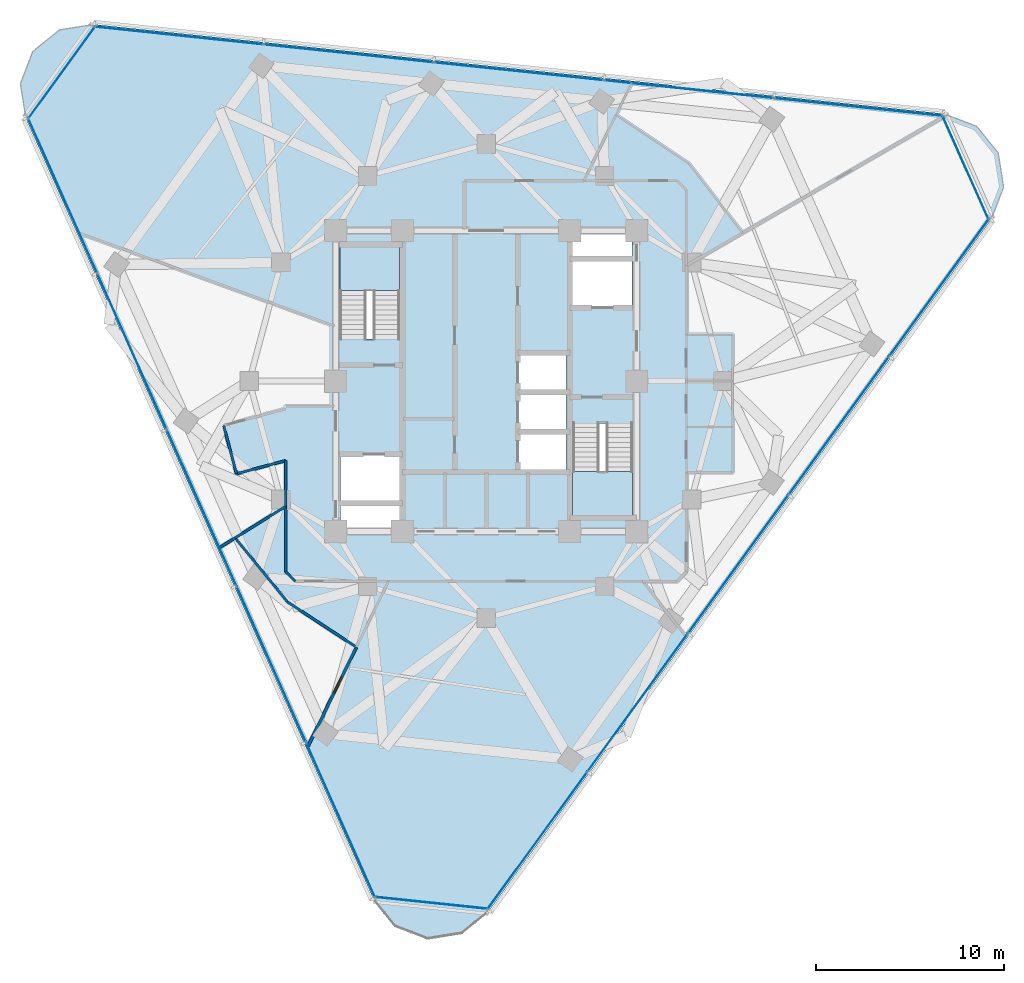
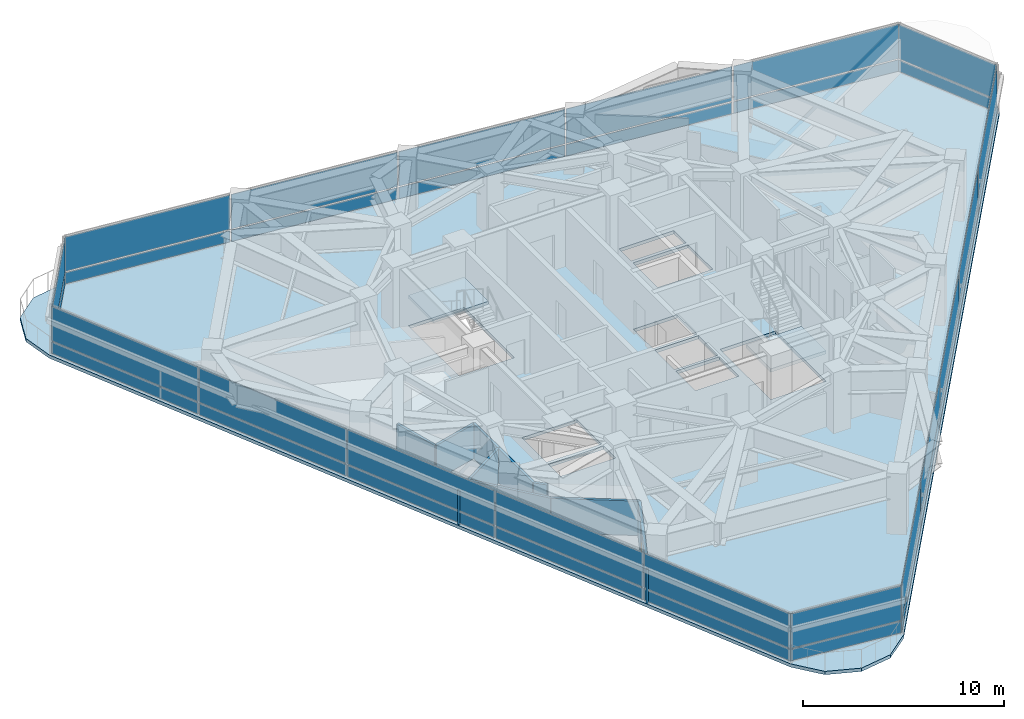
# One storey, part 7 of 14: 36 plates, 10 walls, 3 slabs, 1 door, 1 opening, 8 elements without a shape of their own.
"""IFC4 building model written with IfcOpenShell, lengths in metres."""

from ifc_helpers import new_model, si_unit, direction, frame, frame_2d, origin, origin_2d, place, context, subcontext, project, spatial, polyline, rectangle, outline, extrude, material, layer, layer_set, type_object, element, fill, aggregate, save


model = new_model("IFC4")

# Units and contexts
model_context = context("Model", 3, precision=1e-05, world=origin(), true_north=direction((0.0, 1.0)))
body_context = subcontext(model_context, "Body", "Model", "MODEL_VIEW")
ifc_project = project(units=[si_unit("LENGTHUNIT", "METRE"), si_unit("AREAUNIT", "SQUARE_METRE"), si_unit("VOLUMEUNIT", "CUBIC_METRE"), si_unit("PLANEANGLEUNIT", "RADIAN"), si_unit("MASSUNIT", "GRAM", prefix="KILO")], contexts=[model_context])

# Site, building, storey
site_placement = place(None, origin())
site = spatial("IfcSite", under=ifc_project, at=site_placement, CompositionType="ELEMENT")
building_placement = place(site_placement, origin())
building = spatial("IfcBuilding", under=site, at=building_placement, Name="Terralouvre Media Tower", CompositionType="ELEMENT")
storey_placement = place(building_placement, frame((0.0, 0.0, 244.800048828125)))
storey = spatial("IfcBuildingStorey", under=building, at=storey_placement, Name="L63", CompositionType="ELEMENT", Elevation=244.800048828125)

# Slab
ifc_material_1 = material(Name="Concrete C40/50", Category="concrete")
ifc_layer_1 = layer(ifc_material_1, 0.199951171875, Name="Composite Tower Floor Slab S-TYP200")
ifc_layer_set_1 = layer_set([ifc_layer_1], Name="Concrete C40/50")
slab_type_1 = type_object("IfcSlabType", Name="Composite Tower Floor Slab S-TYP200", PredefinedType="FLOOR", material=ifc_layer_set_1)
slab_1_placement = place(storey_placement, frame((0.0, 0.0, -0.199951171875), z_axis=(0.0, 0.0, 1.0), x_axis=(0.587785252292, 0.809016994375, 0.0)))
element("IfcSlab", 1, at=slab_1_placement, inside=storey, type_object=slab_type_1, Name="L63 Structural Floor Slab", PredefinedType="FLOOR", context=body_context, shape_type="SweptSolid", body=[
    extrude(outline(polyline([(-25.824462890625, -11.359619140625), (-26.300048828125, -13.134765625), (-25.824462890625, -14.90966796875), (-24.52490234375, -16.209228515625), (-22.75, -16.684814453125), (22.75, -16.684814453125), (24.52490234375, -16.209228515625), (25.824462890625, -14.90966796875), (26.300048828125, -13.134765625), (25.824462890625, -11.359619140625), (3.074462890625, 28.04443359375), (1.77490234375, 29.34375), (0.0, 29.8193359375), (-1.77490234375, 29.34375), (-3.074462890625, 28.04443359375), (-25.824462890625, -11.359619140625)]), holes=[polyline([(-8.043212890625, -0.157958984375), (-9.01416015625, -0.86328125), (-10.86572265625, 1.68505859375), (-9.894775390625, 2.390380859375), (-8.043212890625, -0.157958984375)]), polyline([(-5.8994140625, 1.399658203125), (-7.881591796875, -0.040283203125), (-9.733154296875, 2.508056640625), (-7.7509765625, 3.9482421875), (-5.8994140625, 1.399658203125)]), polyline([(-3.169677734375, -7.98876953125), (0.887451171875, -5.041015625), (2.7568359375, -7.61376953125), (-1.300537109375, -10.5615234375), (-3.169677734375, -7.98876953125)]), polyline([(0.2490234375, -5.072265625), (-1.320556640625, -6.212646484375), (-2.7900390625, -4.190185546875), (-1.220458984375, -3.0498046875), (0.2490234375, -5.072265625)]), polyline([(1.947998046875, -3.838134765625), (0.37841796875, -4.978271484375), (-1.091064453125, -2.955810546875), (0.478515625, -1.8154296875), (1.947998046875, -3.838134765625)]), polyline([(3.64697265625, -2.603759765625), (2.077392578125, -3.743896484375), (0.60791015625, -1.721435546875), (2.177490234375, -0.5810546875), (3.64697265625, -2.603759765625)]), polyline([(3.169677734375, 7.98876953125), (-0.887451171875, 5.041015625), (-2.7568359375, 7.61376953125), (1.300537109375, 10.5615234375), (3.169677734375, 7.98876953125)]), polyline([(7.7509765625, -3.9482421875), (5.8994140625, -1.399658203125), (7.881591796875, 0.040283203125), (9.733154296875, -2.508056640625), (7.7509765625, -3.9482421875)]), polyline([(9.894775390625, -2.390380859375), (8.043212890625, 0.157958984375), (9.01416015625, 0.86328125), (10.86572265625, -1.68505859375), (9.894775390625, -2.390380859375)])]), origin(), (0.0, 0.0, 1.0), 0.199951171875),
])

# Stair, slab
ifc_material_2 = material(Name="Concrete C45/55", Category="concrete")
stair_type_1 = type_object("IfcStairType", Name="Dogleg Stair Assembly ST-01", PredefinedType="HALF_TURN_STAIR", material=ifc_material_2)
stair_1_placement = place(storey_placement, origin())
stair_1 = element("IfcStair", 2, at=stair_1_placement, inside=storey, type_object=stair_type_1, Name="L63 Core Pressurised Exit Stair ST-01", PredefinedType="HALF_TURN_STAIR")
ifc_material_3 = material(Name="Concrete C45/55", Category="concrete")
ifc_layer_2 = layer(ifc_material_3, 0.199951171875, Name="Reinforced Concrete Stair Half-Landing SL-LD1")
ifc_layer_set_2 = layer_set([ifc_layer_2], Name="Concrete C45/55")
slab_type_2 = type_object("IfcSlabType", Name="Reinforced Concrete Stair Half-Landing SL-LD1", PredefinedType="LANDING", material=ifc_layer_set_2)
slab_2_placement = place(storey_placement, frame((0.0, 0.0, 1.64990234375)))
slab_2 = element("IfcSlab", 3, at=slab_2_placement, type_object=slab_type_2, Name="ST-01 landing 1", PredefinedType="LANDING", context=body_context, shape_type="SweptSolid", body=[
    extrude(outline(polyline([(-4.60009765625, 4.820068359375), (-4.60009765625, 7.260009765625), (-7.780029296875, 7.260009765625), (-7.780029296875, 4.820068359375), (-4.60009765625, 4.820068359375)])), origin(), (0.0, 0.0, 1.0), 0.199951171875),
])
aggregate(stair_1, [slab_2])

ifc_material_4 = material(Name="Concrete C45/55", Category="concrete")
stair_type_2 = type_object("IfcStairType", Name="Dogleg Stair Assembly ST-02", PredefinedType="HALF_TURN_STAIR", material=ifc_material_4)
stair_2_placement = place(storey_placement, origin())
stair_2 = element("IfcStair", 4, at=stair_2_placement, inside=storey, type_object=stair_type_2, Name="L63 Core Pressurised Exit Stair ST-02", PredefinedType="HALF_TURN_STAIR")
slab_3_placement = place(storey_placement, frame((0.0, 0.0, 1.64990234375)))
slab_3 = element("IfcSlab", 5, at=slab_3_placement, type_object=slab_type_2, Name="ST-02 landing 1", PredefinedType="LANDING", context=body_context, shape_type="SweptSolid", body=[
    extrude(outline(polyline([(4.60009765625, -4.820068359375), (4.60009765625, -7.260009765625), (7.780029296875, -7.260009765625), (7.780029296875, -4.820068359375), (4.60009765625, -4.820068359375)])), origin(), (0.0, 0.0, 1.0), 0.199951171875),
])
aggregate(stair_2, [slab_3])

# Curtain wall, plates
ifc_material_5 = material(Name="Low-iron laminated double glazing with solar-control coating", Category="glass")
ifc_layer_3 = layer(ifc_material_5, 0.1650390625, Name="Rounded Wind-Corner Curved Glazing CW-04")
ifc_layer_set_3 = layer_set([ifc_layer_3], Name="Low-iron laminated double glazing with solar-control coating")
curtain_wall_type_1 = type_object("IfcCurtainWallType", Name="Rounded Wind-Corner Curved Glazing CW-04", PredefinedType="NOTDEFINED", material=ifc_layer_set_3)
curtain_wall_1_placement = place(storey_placement, origin())
curtain_wall_1 = element("IfcCurtainWall", 6, at=curtain_wall_1_placement, inside=storey, type_object=curtain_wall_type_1, Name="L63 Rounded Wind-Corner Curtain Wall C0", PredefinedType="NOTDEFINED")
ifc_material_6 = material(Name="Low-iron laminated double glazing with solar-control coating", Category="glass")
ifc_layer_4 = layer(ifc_material_6, 0.0400390625, Name="Rounded Corner Laminated Vision Panel CWP-03")
ifc_layer_set_4 = layer_set([ifc_layer_4], Name="Low-iron laminated double glazing with solar-control coating")
plate_type_1 = type_object("IfcPlateType", Name="Rounded Corner Laminated Vision Panel CWP-03", PredefinedType="CURTAIN_PANEL", material=ifc_layer_set_4)
plate_1_placement = place(storey_placement, frame((-2.916748046875, -27.75146484375, 0.074951171875), z_axis=(0.0, 0.0, 1.0), x_axis=(0.994521944551, -0.104527995322, 0.0)))
plate_1 = element("IfcPlate", 7, at=plate_1_placement, type_object=plate_type_1, Name="CW-04 panel 1.1", PredefinedType="CURTAIN_PANEL", context=body_context, shape_type="SweptSolid", body=[
    extrude(rectangle(XDim=5.998779296875, YDim=0.035888671875, at=origin_2d()), origin(), (0.0, 0.0, 1.0), 0.6875),
])
plate_2_placement = place(storey_placement, frame((-2.916748046875, -27.75146484375, 0.83740234375), z_axis=(0.0, 0.0, 1.0), x_axis=(0.994521944551, -0.104527995322, 0.0)))
plate_2 = element("IfcPlate", 8, at=plate_2_placement, type_object=plate_type_1, Name="CW-04 panel 1.2", PredefinedType="CURTAIN_PANEL", context=body_context, shape_type="SweptSolid", body=[
    extrude(rectangle(XDim=5.998779296875, YDim=0.035888671875, at=origin_2d()), origin(), (0.0, 0.0, 1.0), 2.08740234375),
])
aggregate(curtain_wall_1, [plate_1, plate_2])

curtain_wall_2_placement = place(storey_placement, origin())
curtain_wall_2 = element("IfcCurtainWall", 9, at=curtain_wall_2_placement, inside=storey, type_object=curtain_wall_type_1, Name="L63 Rounded Wind-Corner Curtain Wall C1", PredefinedType="NOTDEFINED")
plate_3_placement = place(storey_placement, frame((25.491943359375, 11.349853515625, 0.074951171875), z_axis=(0.0, 0.0, 1.0), x_axis=(-0.406737441315, 0.913545102243, 0.0)))
plate_3 = element("IfcPlate", 10, at=plate_3_placement, type_object=plate_type_1, Name="CW-04 panel 1.1", PredefinedType="CURTAIN_PANEL", context=body_context, shape_type="SweptSolid", body=[
    extrude(rectangle(XDim=5.998779296875, YDim=0.035888671875, at=origin_2d()), origin(), (0.0, 0.0, 1.0), 0.6875),
])
plate_4_placement = place(storey_placement, frame((25.491943359375, 11.349853515625, 0.83740234375), z_axis=(0.0, 0.0, 1.0), x_axis=(-0.406737441315, 0.913545102243, 0.0)))
plate_4 = element("IfcPlate", 11, at=plate_4_placement, type_object=plate_type_1, Name="CW-04 panel 1.2", PredefinedType="CURTAIN_PANEL", context=body_context, shape_type="SweptSolid", body=[
    extrude(rectangle(XDim=5.998779296875, YDim=0.035888671875, at=origin_2d()), origin(), (0.0, 0.0, 1.0), 2.08740234375),
])
aggregate(curtain_wall_2, [plate_3, plate_4])

curtain_wall_3_placement = place(storey_placement, origin())
curtain_wall_3 = element("IfcCurtainWall", 12, at=curtain_wall_3_placement, inside=storey, type_object=curtain_wall_type_1, Name="L63 Rounded Wind-Corner Curtain Wall C2", PredefinedType="NOTDEFINED")
plate_5_placement = place(storey_placement, frame((-22.5751953125, 16.40185546875, 0.074951171875), z_axis=(0.0, 0.0, 1.0), x_axis=(-0.58778588998, -0.809016531067, 0.0)))
plate_5 = element("IfcPlate", 13, at=plate_5_placement, type_object=plate_type_1, Name="CW-04 panel 1.1", PredefinedType="CURTAIN_PANEL", context=body_context, shape_type="SweptSolid", body=[
    extrude(rectangle(XDim=5.998779296875, YDim=0.035888671875, at=origin_2d()), origin(), (0.0, 0.0, 1.0), 0.6875),
])
plate_6_placement = place(storey_placement, frame((-22.5751953125, 16.40185546875, 0.83740234375), z_axis=(0.0, 0.0, 1.0), x_axis=(-0.58778588998, -0.809016531067, 0.0)))
plate_6 = element("IfcPlate", 14, at=plate_6_placement, type_object=plate_type_1, Name="CW-04 panel 1.2", PredefinedType="CURTAIN_PANEL", context=body_context, shape_type="SweptSolid", body=[
    extrude(rectangle(XDim=5.998779296875, YDim=0.035888671875, at=origin_2d()), origin(), (0.0, 0.0, 1.0), 2.08740234375),
])
aggregate(curtain_wall_3, [plate_5, plate_6])

ifc_material_7 = material(Name="Low-iron laminated double glazing with solar-control coating", Category="glass")
ifc_layer_5 = layer(ifc_material_7, 0.1650390625, Name="Upper Executive Tower Curtain Wall CW-05")
ifc_layer_set_5 = layer_set([ifc_layer_5], Name="Low-iron laminated double glazing with solar-control coating")
curtain_wall_type_2 = type_object("IfcCurtainWallType", Name="Upper Executive Tower Curtain Wall CW-05", PredefinedType="NOTDEFINED", material=ifc_layer_set_5)
curtain_wall_4_placement = place(storey_placement, origin())
curtain_wall_4 = element("IfcCurtainWall", 15, at=curtain_wall_4_placement, inside=storey, type_object=curtain_wall_type_2, Name="L63 Facade Curtain Wall F0", PredefinedType="NOTDEFINED")
ifc_material_8 = material(Name="Low-iron laminated double glazing with solar-control coating", Category="glass")
ifc_layer_6 = layer(ifc_material_8, 0.035888671875, Name="Vision Double-Glazed Unit CWP-01")
ifc_layer_set_6 = layer_set([ifc_layer_6], Name="Low-iron laminated double glazing with solar-control coating")
plate_type_2 = type_object("IfcPlateType", Name="Vision Double-Glazed Unit CWP-01", PredefinedType="CURTAIN_PANEL", material=ifc_layer_set_6)
plate_7_placement = place(storey_placement, frame((2.71435546875, -24.4453125, 0.074951171875), z_axis=(0.0, 0.0, 1.0), x_axis=(0.587785300879, 0.809016959074, 0.0)))
plate_7 = element("IfcPlate", 16, at=plate_7_placement, type_object=plate_type_2, Name="CW-05 panel 1.1", PredefinedType="CURTAIN_PANEL", context=body_context, shape_type="SweptSolid", body=[
    extrude(rectangle(XDim=8.987548828125, YDim=0.035888671875, at=origin_2d()), origin(), (0.0, 0.0, 1.0), 0.6875),
])
plate_8_placement = place(storey_placement, frame((2.71435546875, -24.4453125, 0.83740234375), z_axis=(0.0, 0.0, 1.0), x_axis=(0.587785300879, 0.809016959074, 0.0)))
plate_8 = element("IfcPlate", 17, at=plate_8_placement, type_object=plate_type_2, Name="CW-05 panel 1.2", PredefinedType="CURTAIN_PANEL", context=body_context, shape_type="SweptSolid", body=[
    extrude(rectangle(XDim=8.987548828125, YDim=0.035888671875, at=origin_2d()), origin(), (0.0, 0.0, 1.0), 2.08740234375),
])
plate_9_placement = place(storey_placement, frame((8.05224609375, -17.0986328125, 0.074951171875), z_axis=(0.0, 0.0, 1.0), x_axis=(0.587785300879, 0.809016959074, 0.0)))
plate_9 = element("IfcPlate", 18, at=plate_9_placement, type_object=plate_type_2, Name="CW-05 panel 2.1", PredefinedType="CURTAIN_PANEL", context=body_context, shape_type="SweptSolid", body=[
    extrude(rectangle(XDim=9.02490234375, YDim=0.035888671875, at=origin_2d()), origin(), (0.0, 0.0, 1.0), 0.6875),
])
plate_10_placement = place(storey_placement, frame((8.05224609375, -17.0986328125, 0.83740234375), z_axis=(0.0, 0.0, 1.0), x_axis=(0.587785300879, 0.809016959074, 0.0)))
plate_10 = element("IfcPlate", 19, at=plate_10_placement, type_object=plate_type_2, Name="CW-05 panel 2.2", PredefinedType="CURTAIN_PANEL", context=body_context, shape_type="SweptSolid", body=[
    extrude(rectangle(XDim=9.02490234375, YDim=0.035888671875, at=origin_2d()), origin(), (0.0, 0.0, 1.0), 2.08740234375),
])
plate_11_placement = place(storey_placement, frame((13.401123046875, -9.736572265625, 0.074951171875), z_axis=(0.0, 0.0, 1.0), x_axis=(0.587785300879, 0.809016959074, 0.0)))
plate_11 = element("IfcPlate", 20, at=plate_11_placement, type_object=plate_type_2, Name="CW-05 panel 3.1", PredefinedType="CURTAIN_PANEL", context=body_context, shape_type="SweptSolid", body=[
    extrude(rectangle(XDim=9.02490234375, YDim=0.035888671875, at=origin_2d()), origin(), (0.0, 0.0, 1.0), 0.6875),
])
plate_12_placement = place(storey_placement, frame((13.401123046875, -9.736572265625, 0.83740234375), z_axis=(0.0, 0.0, 1.0), x_axis=(0.587785300879, 0.809016959074, 0.0)))
plate_12 = element("IfcPlate", 21, at=plate_12_placement, type_object=plate_type_2, Name="CW-05 panel 3.2", PredefinedType="CURTAIN_PANEL", context=body_context, shape_type="SweptSolid", body=[
    extrude(rectangle(XDim=9.02490234375, YDim=0.035888671875, at=origin_2d()), origin(), (0.0, 0.0, 1.0), 2.08740234375),
])
plate_13_placement = place(storey_placement, frame((18.75, -2.37451171875, 0.074951171875), z_axis=(0.0, 0.0, 1.0), x_axis=(0.587785300879, 0.809016959074, 0.0)))
plate_13 = element("IfcPlate", 22, at=plate_13_placement, type_object=plate_type_2, Name="CW-05 panel 4.1", PredefinedType="CURTAIN_PANEL", context=body_context, shape_type="SweptSolid", body=[
    extrude(rectangle(XDim=9.02490234375, YDim=0.035888671875, at=origin_2d()), origin(), (0.0, 0.0, 1.0), 0.6875),
])
plate_14_placement = place(storey_placement, frame((18.75, -2.37451171875, 0.83740234375), z_axis=(0.0, 0.0, 1.0), x_axis=(0.587785300879, 0.809016959074, 0.0)))
plate_14 = element("IfcPlate", 23, at=plate_14_placement, type_object=plate_type_2, Name="CW-05 panel 4.2", PredefinedType="CURTAIN_PANEL", context=body_context, shape_type="SweptSolid", body=[
    extrude(rectangle(XDim=9.02490234375, YDim=0.035888671875, at=origin_2d()), origin(), (0.0, 0.0, 1.0), 2.08740234375),
])
plate_15_placement = place(storey_placement, frame((24.087890625, 4.972412109375, 0.074951171875), z_axis=(0.0, 0.0, 1.0), x_axis=(0.587785300879, 0.809016959074, 0.0)))
plate_15 = element("IfcPlate", 24, at=plate_15_placement, type_object=plate_type_2, Name="CW-05 panel 5.1", PredefinedType="CURTAIN_PANEL", context=body_context, shape_type="SweptSolid", body=[
    extrude(rectangle(XDim=8.987548828125, YDim=0.035888671875, at=origin_2d()), origin(), (0.0, 0.0, 1.0), 0.6875),
])
plate_16_placement = place(storey_placement, frame((24.087890625, 4.972412109375, 0.83740234375), z_axis=(0.0, 0.0, 1.0), x_axis=(0.587785300879, 0.809016959074, 0.0)))
plate_16 = element("IfcPlate", 25, at=plate_16_placement, type_object=plate_type_2, Name="CW-05 panel 5.2", PredefinedType="CURTAIN_PANEL", context=body_context, shape_type="SweptSolid", body=[
    extrude(rectangle(XDim=8.987548828125, YDim=0.035888671875, at=origin_2d()), origin(), (0.0, 0.0, 1.0), 2.08740234375),
])
aggregate(curtain_wall_4, [plate_7, plate_8, plate_9, plate_10, plate_11, plate_12, plate_13, plate_14, plate_15, plate_16])

curtain_wall_5_placement = place(storey_placement, origin())
curtain_wall_5 = element("IfcCurtainWall", 26, at=curtain_wall_5_placement, inside=storey, type_object=curtain_wall_type_2, Name="L63 Facade Curtain Wall F1", PredefinedType="NOTDEFINED")
plate_17_placement = place(storey_placement, frame((19.813232421875, 14.573486328125, 0.074951171875), z_axis=(0.0, 0.0, 1.0), x_axis=(-0.994521885028, 0.104528561651, 0.0)))
plate_17 = element("IfcPlate", 27, at=plate_17_placement, type_object=plate_type_2, Name="CW-05 panel 1.1", PredefinedType="CURTAIN_PANEL", context=body_context, shape_type="SweptSolid", body=[
    extrude(rectangle(XDim=8.987548828125, YDim=0.035888671875, at=origin_2d()), origin(), (0.0, 0.0, 1.0), 0.6875),
])
plate_18_placement = place(storey_placement, frame((19.813232421875, 14.573486328125, 0.83740234375), z_axis=(0.0, 0.0, 1.0), x_axis=(-0.994521885028, 0.104528561651, 0.0)))
plate_18 = element("IfcPlate", 28, at=plate_18_placement, type_object=plate_type_2, Name="CW-05 panel 1.2", PredefinedType="CURTAIN_PANEL", context=body_context, shape_type="SweptSolid", body=[
    extrude(rectangle(XDim=8.987548828125, YDim=0.035888671875, at=origin_2d()), origin(), (0.0, 0.0, 1.0), 2.08740234375),
])
plate_19_placement = place(storey_placement, frame((10.78173828125, 15.522705078125, 0.074951171875), z_axis=(0.0, 0.0, 1.0), x_axis=(-0.994521885028, 0.104528561651, 0.0)))
plate_19 = element("IfcPlate", 29, at=plate_19_placement, type_object=plate_type_2, Name="CW-05 panel 2.1", PredefinedType="CURTAIN_PANEL", context=body_context, shape_type="SweptSolid", body=[
    extrude(rectangle(XDim=9.02490234375, YDim=0.035888671875, at=origin_2d()), origin(), (0.0, 0.0, 1.0), 0.6875),
])
plate_20_placement = place(storey_placement, frame((10.78173828125, 15.522705078125, 0.83740234375), z_axis=(0.0, 0.0, 1.0), x_axis=(-0.994521885028, 0.104528561651, 0.0)))
plate_20 = element("IfcPlate", 30, at=plate_20_placement, type_object=plate_type_2, Name="CW-05 panel 2.2", PredefinedType="CURTAIN_PANEL", context=body_context, shape_type="SweptSolid", body=[
    extrude(rectangle(XDim=9.02490234375, YDim=0.035888671875, at=origin_2d()), origin(), (0.0, 0.0, 1.0), 2.08740234375),
])
plate_21_placement = place(storey_placement, frame((1.7314453125, 16.473876953125, 0.074951171875), z_axis=(0.0, 0.0, 1.0), x_axis=(-0.994521885028, 0.104528561651, 0.0)))
plate_21 = element("IfcPlate", 31, at=plate_21_placement, type_object=plate_type_2, Name="CW-05 panel 3.1", PredefinedType="CURTAIN_PANEL", context=body_context, shape_type="SweptSolid", body=[
    extrude(rectangle(XDim=9.02490234375, YDim=0.035888671875, at=origin_2d()), origin(), (0.0, 0.0, 1.0), 0.6875),
])
plate_22_placement = place(storey_placement, frame((1.7314453125, 16.473876953125, 0.83740234375), z_axis=(0.0, 0.0, 1.0), x_axis=(-0.994521885028, 0.104528561651, 0.0)))
plate_22 = element("IfcPlate", 32, at=plate_22_placement, type_object=plate_type_2, Name="CW-05 panel 3.2", PredefinedType="CURTAIN_PANEL", context=body_context, shape_type="SweptSolid", body=[
    extrude(rectangle(XDim=9.02490234375, YDim=0.035888671875, at=origin_2d()), origin(), (0.0, 0.0, 1.0), 2.08740234375),
])
plate_23_placement = place(storey_placement, frame((-7.318603515625, 17.42529296875, 0.074951171875), z_axis=(0.0, 0.0, 1.0), x_axis=(-0.994521885028, 0.104528561651, 0.0)))
plate_23 = element("IfcPlate", 33, at=plate_23_placement, type_object=plate_type_2, Name="CW-05 panel 4.1", PredefinedType="CURTAIN_PANEL", context=body_context, shape_type="SweptSolid", body=[
    extrude(rectangle(XDim=9.02490234375, YDim=0.035888671875, at=origin_2d()), origin(), (0.0, 0.0, 1.0), 0.6875),
])
plate_24_placement = place(storey_placement, frame((-7.318603515625, 17.42529296875, 0.83740234375), z_axis=(0.0, 0.0, 1.0), x_axis=(-0.994521885028, 0.104528561651, 0.0)))
plate_24 = element("IfcPlate", 34, at=plate_24_placement, type_object=plate_type_2, Name="CW-05 panel 4.2", PredefinedType="CURTAIN_PANEL", context=body_context, shape_type="SweptSolid", body=[
    extrude(rectangle(XDim=9.02490234375, YDim=0.035888671875, at=origin_2d()), origin(), (0.0, 0.0, 1.0), 2.08740234375),
])
plate_25_placement = place(storey_placement, frame((-16.35009765625, 18.37451171875, 0.074951171875), z_axis=(0.0, 0.0, 1.0), x_axis=(-0.994521885028, 0.104528561651, 0.0)))
plate_25 = element("IfcPlate", 35, at=plate_25_placement, type_object=plate_type_2, Name="CW-05 panel 5.1", PredefinedType="CURTAIN_PANEL", context=body_context, shape_type="SweptSolid", body=[
    extrude(rectangle(XDim=8.987548828125, YDim=0.035888671875, at=origin_2d()), origin(), (0.0, 0.0, 1.0), 0.6875),
])
plate_26_placement = place(storey_placement, frame((-16.35009765625, 18.37451171875, 0.83740234375), z_axis=(0.0, 0.0, 1.0), x_axis=(-0.994521885028, 0.104528561651, 0.0)))
plate_26 = element("IfcPlate", 36, at=plate_26_placement, type_object=plate_type_2, Name="CW-05 panel 5.2", PredefinedType="CURTAIN_PANEL", context=body_context, shape_type="SweptSolid", body=[
    extrude(rectangle(XDim=8.987548828125, YDim=0.035888671875, at=origin_2d()), origin(), (0.0, 0.0, 1.0), 2.08740234375),
])
aggregate(curtain_wall_5, [plate_17, plate_18, plate_19, plate_20, plate_21, plate_22, plate_23, plate_24, plate_25, plate_26])

curtain_wall_6_placement = place(storey_placement, origin())
curtain_wall_6 = element("IfcCurtainWall", 37, at=curtain_wall_6_placement, inside=storey, type_object=curtain_wall_type_2, Name="L63 Facade Curtain Wall F2", PredefinedType="NOTDEFINED")
plate_27_placement = place(storey_placement, frame((-22.527587890625, 9.871826171875, 0.074951171875), z_axis=(0.0, 0.0, 1.0), x_axis=(0.406736679636, -0.913545441365, 0.0)))
plate_27 = element("IfcPlate", 38, at=plate_27_placement, type_object=plate_type_2, Name="CW-05 panel 1.1", PredefinedType="CURTAIN_PANEL", context=body_context, shape_type="SweptSolid", body=[
    extrude(rectangle(XDim=8.987548828125, YDim=0.035888671875, at=origin_2d()), origin(), (0.0, 0.0, 1.0), 0.6875),
])
plate_28_placement = place(storey_placement, frame((-22.527587890625, 9.871826171875, 0.83740234375), z_axis=(0.0, 0.0, 1.0), x_axis=(0.406736679636, -0.913545441365, 0.0)))
plate_28 = element("IfcPlate", 39, at=plate_28_placement, type_object=plate_type_2, Name="CW-05 panel 1.2", PredefinedType="CURTAIN_PANEL", context=body_context, shape_type="SweptSolid", body=[
    extrude(rectangle(XDim=8.987548828125, YDim=0.035888671875, at=origin_2d()), origin(), (0.0, 0.0, 1.0), 2.08740234375),
])
plate_29_placement = place(storey_placement, frame((-18.833984375, 1.57568359375, 0.074951171875), z_axis=(0.0, 0.0, 1.0), x_axis=(0.406736679636, -0.913545441365, 0.0)))
plate_29 = element("IfcPlate", 40, at=plate_29_placement, type_object=plate_type_2, Name="CW-05 panel 2.1", PredefinedType="CURTAIN_PANEL", context=body_context, shape_type="SweptSolid", body=[
    extrude(rectangle(XDim=9.02490234375, YDim=0.035888671875, at=origin_2d()), origin(), (0.0, 0.0, 1.0), 0.6875),
])
plate_30_placement = place(storey_placement, frame((-18.833984375, 1.57568359375, 0.83740234375), z_axis=(0.0, 0.0, 1.0), x_axis=(0.406736679636, -0.913545441365, 0.0)))
plate_30 = element("IfcPlate", 41, at=plate_30_placement, type_object=plate_type_2, Name="CW-05 panel 2.2", PredefinedType="CURTAIN_PANEL", context=body_context, shape_type="SweptSolid", body=[
    extrude(rectangle(XDim=9.02490234375, YDim=0.035888671875, at=origin_2d()), origin(), (0.0, 0.0, 1.0), 2.08740234375),
])
plate_31_placement = place(storey_placement, frame((-15.132568359375, -6.737548828125, 0.074951171875), z_axis=(0.0, 0.0, 1.0), x_axis=(0.406736679636, -0.913545441365, 0.0)))
plate_31 = element("IfcPlate", 42, at=plate_31_placement, type_object=plate_type_2, Name="CW-05 panel 3.1", PredefinedType="CURTAIN_PANEL", context=body_context, shape_type="SweptSolid", body=[
    extrude(rectangle(XDim=9.02490234375, YDim=0.035888671875, at=origin_2d()), origin(), (0.0, 0.0, 1.0), 0.6875),
])
plate_32_placement = place(storey_placement, frame((-15.132568359375, -6.737548828125, 0.83740234375), z_axis=(0.0, 0.0, 1.0), x_axis=(0.406736679636, -0.913545441365, 0.0)))
plate_32 = element("IfcPlate", 43, at=plate_32_placement, type_object=plate_type_2, Name="CW-05 panel 3.2", PredefinedType="CURTAIN_PANEL", context=body_context, shape_type="SweptSolid", body=[
    extrude(rectangle(XDim=9.02490234375, YDim=0.035888671875, at=origin_2d()), origin(), (0.0, 0.0, 1.0), 2.08740234375),
])
plate_33_placement = place(storey_placement, frame((-11.431396484375, -15.05078125, 0.074951171875), z_axis=(0.0, 0.0, 1.0), x_axis=(0.406736679636, -0.913545441365, 0.0)))
plate_33 = element("IfcPlate", 44, at=plate_33_placement, type_object=plate_type_2, Name="CW-05 panel 4.1", PredefinedType="CURTAIN_PANEL", context=body_context, shape_type="SweptSolid", body=[
    extrude(rectangle(XDim=9.02490234375, YDim=0.035888671875, at=origin_2d()), origin(), (0.0, 0.0, 1.0), 0.6875),
])
plate_34_placement = place(storey_placement, frame((-11.431396484375, -15.05078125, 0.83740234375), z_axis=(0.0, 0.0, 1.0), x_axis=(0.406736679636, -0.913545441365, 0.0)))
plate_34 = element("IfcPlate", 45, at=plate_34_placement, type_object=plate_type_2, Name="CW-05 panel 4.2", PredefinedType="CURTAIN_PANEL", context=body_context, shape_type="SweptSolid", body=[
    extrude(rectangle(XDim=9.02490234375, YDim=0.035888671875, at=origin_2d()), origin(), (0.0, 0.0, 1.0), 2.08740234375),
])
plate_35_placement = place(storey_placement, frame((-7.737548828125, -23.346923828125, 0.074951171875), z_axis=(0.0, 0.0, 1.0), x_axis=(0.406736679636, -0.913545441365, 0.0)))
plate_35 = element("IfcPlate", 46, at=plate_35_placement, type_object=plate_type_2, Name="CW-05 panel 5.1", PredefinedType="CURTAIN_PANEL", context=body_context, shape_type="SweptSolid", body=[
    extrude(rectangle(XDim=8.987548828125, YDim=0.035888671875, at=origin_2d()), origin(), (0.0, 0.0, 1.0), 0.6875),
])
plate_36_placement = place(storey_placement, frame((-7.737548828125, -23.346923828125, 0.83740234375), z_axis=(0.0, 0.0, 1.0), x_axis=(0.406736679636, -0.913545441365, 0.0)))
plate_36 = element("IfcPlate", 47, at=plate_36_placement, type_object=plate_type_2, Name="CW-05 panel 5.2", PredefinedType="CURTAIN_PANEL", context=body_context, shape_type="SweptSolid", body=[
    extrude(rectangle(XDim=8.987548828125, YDim=0.035888671875, at=origin_2d()), origin(), (0.0, 0.0, 1.0), 2.08740234375),
])
aggregate(curtain_wall_6, [plate_27, plate_28, plate_29, plate_30, plate_31, plate_32, plate_33, plate_34, plate_35, plate_36])

# Walls
ifc_material_9 = material(Name="Fire-rated gypsum board drywall partition")
ifc_layer_7 = layer(ifc_material_9, 0.135009765625, Name="Newsroom Acoustic Partition PT-135")
ifc_layer_set_7 = layer_set([ifc_layer_7], Name="Fire-rated gypsum board drywall partition")
wall_type_1 = type_object("IfcWallType", Name="Newsroom Acoustic Partition PT-135", PredefinedType="PARTITIONING", material=ifc_layer_set_7)
wall_1_placement = place(storey_placement, frame((-13.9619140625, -2.368896484375, 0.0), z_axis=(0.0, 0.0, 1.0), x_axis=(0.258413725385, -0.966034340245, 0.0)))
element("IfcWall", 48, at=wall_1_placement, inside=storey, type_object=wall_type_1, Name="L63 Interior Partition 003", PredefinedType="PARTITIONING", context=body_context, shape_type="SweptSolid", body=[
    extrude(rectangle(XDim=2.650146484375, YDim=0.135009765625, at=frame_2d((1.3251953125, 0.0))), origin(), (0.0, 0.0, 1.0), 2.0849609375),
])
wall_2_placement = place(storey_placement, frame((-13.277099609375, -4.928955078125, 0.0), z_axis=(0.0, 0.0, 1.0), x_axis=(0.965934830229, 0.258785439601, 0.0)))
element("IfcWall", 49, at=wall_2_placement, inside=storey, type_object=wall_type_1, Name="L63 Interior Partition 004", PredefinedType="PARTITIONING", context=body_context, shape_type="SweptSolid", body=[
    extrude(rectangle(XDim=2.719970703125, YDim=0.135009765625, at=frame_2d((1.35986328125, 0.0))), origin(), (0.0, 0.0, 1.0), 2.0849609375),
])
wall_3_placement = place(storey_placement, frame((-10.64990234375, -4.22509765625, 0.0), z_axis=(0.0, 0.0, 1.0), x_axis=(0.0, -1.0, 0.0)))
element("IfcWall", 50, at=wall_3_placement, inside=storey, type_object=wall_type_1, Name="L63 Interior Partition 005", PredefinedType="PARTITIONING", context=body_context, shape_type="SweptSolid", body=[
    extrude(rectangle(XDim=2.429931640625, YDim=0.135009765625, at=frame_2d((1.21484375, 0.0))), origin(), (0.0, 0.0, 1.0), 2.0849609375),
])
wall_4_placement = place(storey_placement, frame((-10.64990234375, -6.655029296875, 0.0), z_axis=(0.0, 0.0, 1.0), x_axis=(0.0, -1.0, 0.0)))
element("IfcWall", 51, at=wall_4_placement, inside=storey, type_object=wall_type_1, Name="L63 Interior Partition 006", PredefinedType="PARTITIONING", context=body_context, shape_type="SweptSolid", body=[
    extrude(rectangle(XDim=3.494873046875, YDim=0.135009765625, at=frame_2d((1.74755859375, 0.0))), origin(), (0.0, 0.0, 1.0), 2.0849609375),
])
wall_5_placement = place(storey_placement, frame((-10.64990234375, -10.14990234375, 0.0), z_axis=(0.0, 0.0, 1.0), x_axis=(0.707106781187, -0.707106781187, 0.0)))
element("IfcWall", 52, at=wall_5_placement, inside=storey, type_object=wall_type_1, Name="L63 Interior Partition 007", PredefinedType="PARTITIONING", context=body_context, shape_type="SweptSolid", body=[
    extrude(rectangle(XDim=0.70703125, YDim=0.135009765625, at=frame_2d((0.353515625, 0.0))), origin(), (0.0, 0.0, 1.0), 2.0849609375),
])
wall_6_placement = place(storey_placement, frame((-13.35009765625, -8.342041015625, 0.0), z_axis=(0.0, 0.0, 1.0), x_axis=(0.848084450475, 0.529861080721, 0.0)))
element("IfcWall", 53, at=wall_6_placement, inside=storey, type_object=wall_type_1, Name="L63 Interior Partition 022", PredefinedType="PARTITIONING", context=body_context, shape_type="SweptSolid", body=[
    extrude(rectangle(XDim=3.183837890625, YDim=0.135009765625, at=frame_2d((1.591796875, 0.0))), origin(), (0.0, 0.0, 1.0), 2.0849609375),
])
wall_7_placement = place(storey_placement, frame((-14.22021484375, -8.88525390625, 0.0), z_axis=(0.0, 0.0, 1.0), x_axis=(0.848265622385, 0.529570990406, 0.0)))
element("IfcWall", 54, at=wall_7_placement, inside=storey, type_object=wall_type_1, Name="L63 Interior Partition 023", PredefinedType="PARTITIONING", context=body_context, shape_type="SweptSolid", body=[
    extrude(rectangle(XDim=1.02587890625, YDim=0.135009765625, at=frame_2d((0.512939453125, 0.0))), origin(), (0.0, 0.0, 1.0), 2.0849609375),
])
wall_8_placement = place(storey_placement, frame((-13.35009765625, -8.342041015625, 0.0), z_axis=(0.0, 0.0, 1.0), x_axis=(0.63273803223, -0.774365922914, 0.0)))
element("IfcWall", 55, at=wall_8_placement, inside=storey, type_object=wall_type_1, Name="L63 Interior Partition 025", PredefinedType="PARTITIONING", context=body_context, shape_type="SweptSolid", body=[
    extrude(rectangle(XDim=4.390625, YDim=0.135009765625, at=frame_2d((2.1953125, 0.0))), origin(), (0.0, 0.0, 1.0), 2.0849609375),
])
wall_9_placement = place(storey_placement, frame((-10.572021484375, -11.741943359375, 0.0), z_axis=(0.0, 0.0, 1.0), x_axis=(0.836278230032, -0.548305318207, 0.0)))
element("IfcWall", 56, at=wall_9_placement, inside=storey, type_object=wall_type_1, Name="L63 Interior Partition 026", PredefinedType="PARTITIONING", context=body_context, shape_type="SweptSolid", body=[
    extrude(rectangle(XDim=4.389892578125, YDim=0.135009765625, at=frame_2d((2.19482421875, 0.0))), origin(), (0.0, 0.0, 1.0), 2.0849609375),
])

# Wall, opening, door
ifc_material_10 = material(Name="Fire-rated gypsum board drywall partition")
ifc_layer_8 = layer(ifc_material_10, 0.159912109375, Name="Studio Acoustic Rated Partition PT-160")
ifc_layer_set_8 = layer_set([ifc_layer_8], Name="Fire-rated gypsum board drywall partition")
wall_type_2 = type_object("IfcWallType", Name="Studio Acoustic Rated Partition PT-160", PredefinedType="PARTITIONING", material=ifc_layer_set_8)
wall_10_placement = place(storey_placement, frame((-9.502197265625, -19.482421875, 0.0), z_axis=(0.0, 0.0, 1.0), x_axis=(0.438370943059, 0.898794145665, 0.0)))
wall_10 = element("IfcWall", 57, at=wall_10_placement, inside=storey, type_object=wall_type_2, Name="L63 Interior Partition 028", PredefinedType="PARTITIONING", context=body_context, shape_type="SweptSolid", body=[
    extrude(rectangle(XDim=5.93408203125, YDim=0.159912109375, at=frame_2d((2.967041015625, 0.0))), origin(), (0.0, 0.0, 1.0), 2.0849609375),
])
opening_placement = place(wall_10_placement, frame((3.218994140625, 0.0, 0.0)))
opening = element("IfcOpeningElement", 58, at=opening_placement, cuts=wall_10, Name="Opening ID-03-92X206", PredefinedType="OPENING", context=body_context, shape_type="SweptSolid", body=[
    extrude(rectangle(XDim=0.919921875, YDim=2.034912109375, at=frame_2d((0.4599609375, 1.017578125))), frame((0.0, 0.08984375, 0.0), z_axis=(0.0, -1.0, 0.0), x_axis=(1.0, 0.0, 0.0)), (0.0, 0.0, 1.0), 0.179931640625),
])
ifc_material_11 = material(Name="Engineered hardwood acoustic timber leaf", Category="wood")
door_type = type_object("IfcDoorType", Name="Accessible Restroom and Suite Door ID-03 (920x2065)", OperationType="NOTDEFINED", PredefinedType="DOOR", material=ifc_material_11)
door_placement = place(opening_placement, origin())
door = element("IfcDoor", 59, at=door_placement, inside=storey, type_object=door_type, Name="L63 Sports Commentary Control Room 3 Door", OperationType="SINGLE_SWING_LEFT", OverallHeight=2.034912109375, OverallWidth=0.919921875, PredefinedType="DOOR", context=body_context, shape_type="SweptSolid", body=[
    extrude(rectangle(XDim=0.919921875, YDim=2.034912109375, at=frame_2d((0.4599609375, 1.017578125))), frame((0.0, 0.02490234375, 0.0), z_axis=(0.0, -1.0, 0.0), x_axis=(1.0, 0.0, 0.0)), (0.0, 0.0, 1.0), 0.050048828125),
])
fill(opening, door)

save(model, "model.ifc")
